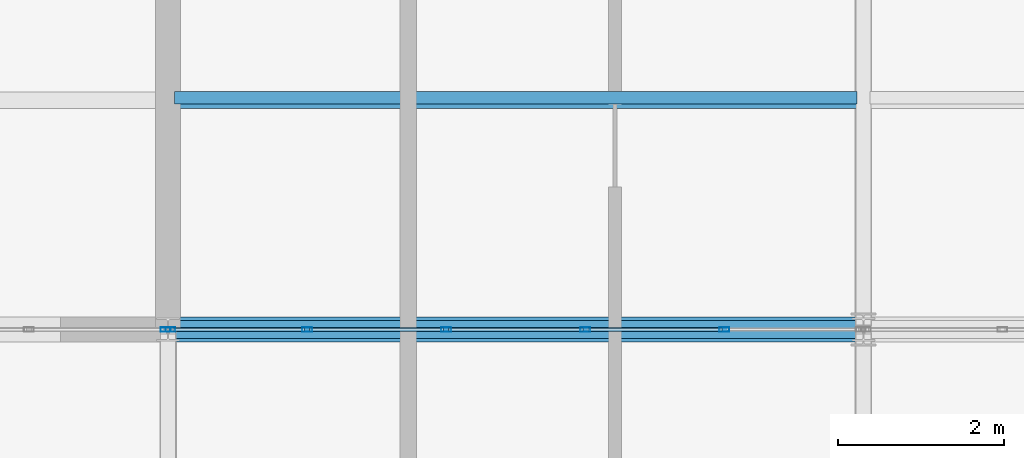
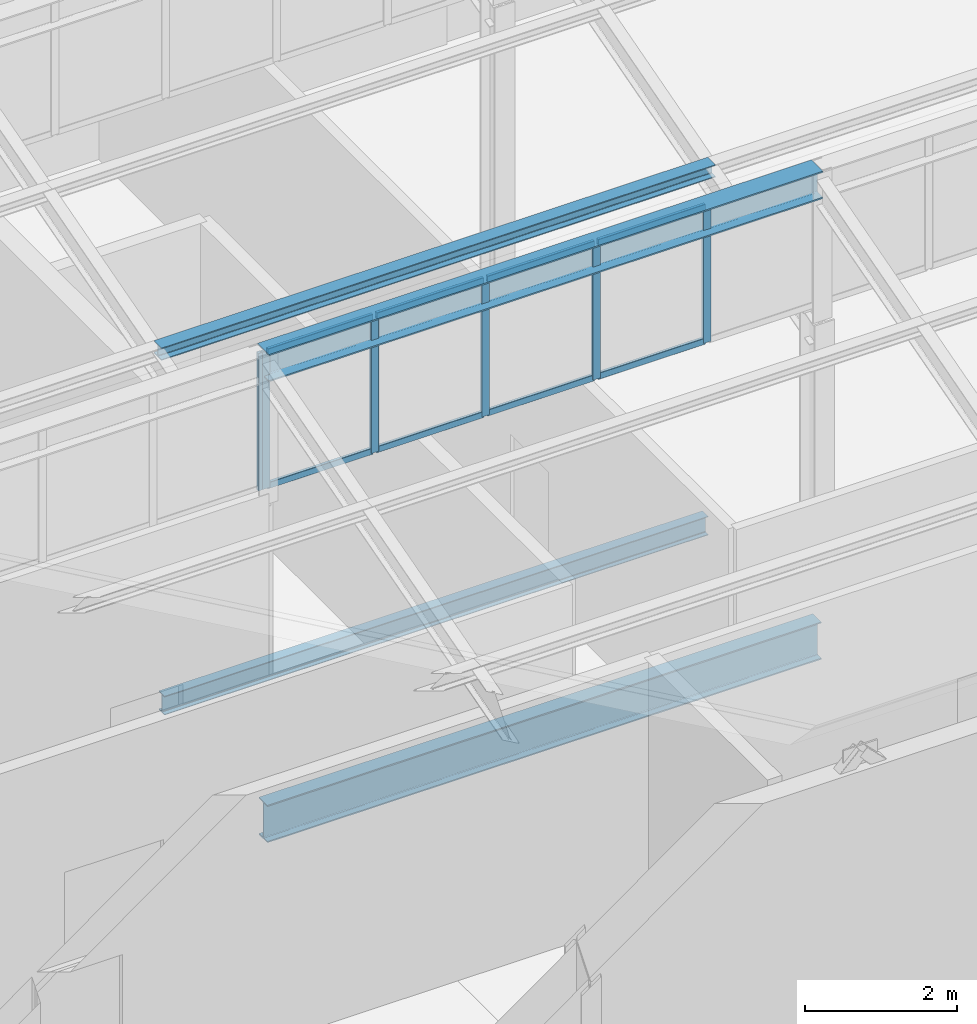
# One storey, part 10 of 53: 15 members, 3 beams, 2 elements without a shape of their own.
"""IFC4 building model written with IfcOpenShell, lengths in metres."""

from ifc_helpers import new_model, si_unit, direction, frame, origin, origin_2d, place, context, subcontext, project, spatial, hollow_rectangle, i_section, extrude, material, layer, layer_set, material_profile, profile_set, type_object, element, aggregate, save


model = new_model("IFC4")

# Units and contexts
model_context = context("Model", 3, precision=1e-05, world=origin(), true_north=direction((0.0, 1.0)))
body_context = subcontext(model_context, "Body", "Model", "MODEL_VIEW")
ifc_project = project(units=[si_unit("LENGTHUNIT", "METRE"), si_unit("AREAUNIT", "SQUARE_METRE"), si_unit("VOLUMEUNIT", "CUBIC_METRE"), si_unit("PLANEANGLEUNIT", "RADIAN"), si_unit("MASSUNIT", "GRAM", prefix="KILO")], contexts=[model_context])

# Site, building, storey
site_placement = place(None, origin())
site = spatial("IfcSite", under=ifc_project, at=site_placement, CompositionType="ELEMENT")
building_placement = place(site_placement, origin())
building = spatial("IfcBuilding", under=site, at=building_placement, Name="Qalvenar Corner Mobility Hub", CompositionType="ELEMENT")
storey_placement = place(building_placement, frame((0.0, 0.0, 26.39990234375)))
storey = spatial("IfcBuildingStorey", under=building, at=storey_placement, Name="L06", CompositionType="ELEMENT", Elevation=26.39990234375)

# Beams
ifc_material_1 = material(Name="Steel S355", Category="steel")
ifc_material_profile_1 = material_profile(ifc_material_1, i_section(OverallWidth=0.300048828125, OverallDepth=0.43994140625, WebThickness=0.011474609375, FlangeThickness=0.02099609375, FilletRadius=0.027099609375, at=origin_2d()), Name="HEA450")
ifc_profile_set_1 = profile_set([ifc_material_profile_1], Name="Steel S355")
beam_type_1 = type_object("IfcBeamType", Name="BM-HEA450", PredefinedType="BEAM", material=ifc_profile_set_1)
beam_1_placement = place(storey_placement, frame((16.800048828125, 8.39990234375, 6.81005859375), z_axis=(1.0, 0.0, 0.0), x_axis=(0.0, 1.0, 0.0)))
element("IfcBeam", 1, at=beam_1_placement, inside=storey, type_object=beam_type_1, Name="Sawtooth Ridge Girder V3RDG-1-3", PredefinedType="BEAM", context=body_context, shape_type="SweptSolid", body=[
    extrude(i_section(OverallWidth=0.300048828125, OverallDepth=0.43994140625, WebThickness=0.011474609375, FlangeThickness=0.02099609375, FilletRadius=0.027099609375, at=origin_2d()), origin(), (0.0, 0.0, 1.0), 8.39990234375),
])
ifc_material_profile_2 = material_profile(ifc_material_1, i_section(OverallWidth=0.219970703125, OverallDepth=0.60009765625, WebThickness=0.011962890625, FlangeThickness=0.01904296875, FilletRadius=0.02392578125, at=origin_2d()), Name="IPE600")
ifc_profile_set_2 = profile_set([ifc_material_profile_2], Name="Steel S355")
beam_type_2 = type_object("IfcBeamType", Name="BM-IPE600", PredefinedType="BEAM", material=ifc_profile_set_2)
beam_2_placement = place(storey_placement, frame((16.800048828125, 8.39990234375, -0.52001953125), z_axis=(1.0, 0.0, 0.0), x_axis=(0.0, 1.0, 0.0)))
element("IfcBeam", 2, at=beam_2_placement, inside=storey, type_object=beam_type_2, Name="Primary Steel Girder GX-3059", PredefinedType="BEAM", context=body_context, shape_type="SweptSolid", body=[
    extrude(i_section(OverallWidth=0.219970703125, OverallDepth=0.60009765625, WebThickness=0.011962890625, FlangeThickness=0.01904296875, FilletRadius=0.02392578125, at=origin_2d()), origin(), (0.0, 0.0, 1.0), 8.39990234375),
])
ifc_material_profile_3 = material_profile(ifc_material_1, i_section(OverallWidth=0.14990234375, OverallDepth=0.300048828125, WebThickness=0.007080078125, FlangeThickness=0.0107421875, FilletRadius=0.014892578125, at=origin_2d()), Name="IPE300")
ifc_profile_set_3 = profile_set([ifc_material_profile_3], Name="Steel S355")
beam_type_3 = type_object("IfcBeamType", Name="BM-JST300", PredefinedType="JOIST", material=ifc_profile_set_3)
beam_3_placement = place(storey_placement, frame((16.8779296875, 11.199951171875, -0.369873046875), z_axis=(1.0, 0.0, 0.0), x_axis=(0.0, 1.0, 0.0)))
element("IfcBeam", 3, at=beam_3_placement, inside=storey, type_object=beam_type_3, Name="Composite Floor Joist J-3118", PredefinedType="JOIST", context=body_context, shape_type="SweptSolid", body=[
    extrude(i_section(OverallWidth=0.14990234375, OverallDepth=0.300048828125, WebThickness=0.007080078125, FlangeThickness=0.0107421875, FilletRadius=0.014892578125, at=origin_2d()), origin(), (0.0, 0.0, 1.0), 8.244140625),
])

# Curtain wall, member
ifc_material_2 = material(Name="Anodised Aluminium and Low-E Glazing", Category="aluminium")
ifc_layer = layer(ifc_material_2, 0.1201171875)
ifc_layer_set = layer_set([ifc_layer], Name="Anodised Aluminium and Low-E Glazing")
curtain_wall_type = type_object("IfcCurtainWallType", Name="CW-CLR-84X24", PredefinedType="NOTDEFINED", material=ifc_layer_set)
curtain_wall_1_placement = place(storey_placement, origin())
curtain_wall_1 = element("IfcCurtainWall", 4, at=curtain_wall_1_placement, inside=storey, type_object=curtain_wall_type, Name="Glazed Curtain Wall CW-V3-SAW-1-1", PredefinedType="NOTDEFINED")
ifc_material_3 = material(Name="Anodised Aluminium 6063-T6", Category="aluminium")
ifc_material_profile_4 = material_profile(ifc_material_3, hollow_rectangle(XDim=0.054931640625, YDim=0.1201171875, WallThickness=0.00341796875, InnerFilletRadius=0.00341796875, OuterFilletRadius=0.007080078125, at=origin_2d()), Name="RHS120x55x3.5")
ifc_profile_set_4 = profile_set([ifc_material_profile_4], Name="Anodised Aluminium 6063-T6")
member_type_1 = type_object("IfcMemberType", Name="CW-MUL120", PredefinedType="MULLION", material=ifc_profile_set_4)
member_1_placement = place(storey_placement, frame((16.77001953125, 8.39990234375, 4.800048828125), z_axis=(0.0, 0.0, 1.0), x_axis=(0.0, -1.0, 0.0)))
member_1 = element("IfcMember", 5, at=member_1_placement, type_object=member_type_1, Name="CW-12 mullion 1", PredefinedType="MULLION", context=body_context, shape_type="SweptSolid", body=[
    extrude(hollow_rectangle(XDim=0.054931640625, YDim=0.1201171875, WallThickness=0.00341796875, InnerFilletRadius=0.00341796875, OuterFilletRadius=0.007080078125, at=origin_2d()), origin(), (0.0, 0.0, 1.0), 2.199951171875),
])
aggregate(curtain_wall_1, [member_1])

# Curtain wall, members
curtain_wall_2_placement = place(storey_placement, origin())
curtain_wall_2 = element("IfcCurtainWall", 6, at=curtain_wall_2_placement, inside=storey, type_object=curtain_wall_type, Name="Glazed Curtain Wall CW-V3-SAW-1-2", PredefinedType="NOTDEFINED")
member_2_placement = place(storey_placement, frame((23.52001953125, 8.39990234375, 4.800048828125), z_axis=(0.0, 0.0, 1.0), x_axis=(0.0, -1.0, 0.0)))
member_2 = element("IfcMember", 7, at=member_2_placement, type_object=member_type_1, Name="CW-12 mullion 2", PredefinedType="MULLION", context=body_context, shape_type="SweptSolid", body=[
    extrude(hollow_rectangle(XDim=0.054931640625, YDim=0.1201171875, WallThickness=0.00341796875, InnerFilletRadius=0.00341796875, OuterFilletRadius=0.007080078125, at=origin_2d()), origin(), (0.0, 0.0, 1.0), 2.199951171875),
])
member_3_placement = place(storey_placement, frame((21.840087890625, 8.39990234375, 4.800048828125), z_axis=(0.0, 0.0, 1.0), x_axis=(0.0, -1.0, 0.0)))
member_3 = element("IfcMember", 8, at=member_3_placement, type_object=member_type_1, Name="CW-12 mullion 3", PredefinedType="MULLION", context=body_context, shape_type="SweptSolid", body=[
    extrude(hollow_rectangle(XDim=0.054931640625, YDim=0.1201171875, WallThickness=0.00341796875, InnerFilletRadius=0.00341796875, OuterFilletRadius=0.007080078125, at=origin_2d()), origin(), (0.0, 0.0, 1.0), 2.199951171875),
])
member_4_placement = place(storey_placement, frame((20.159912109375, 8.39990234375, 4.800048828125), z_axis=(0.0, 0.0, 1.0), x_axis=(0.0, -1.0, 0.0)))
member_4 = element("IfcMember", 9, at=member_4_placement, type_object=member_type_1, Name="CW-12 mullion 4", PredefinedType="MULLION", context=body_context, shape_type="SweptSolid", body=[
    extrude(hollow_rectangle(XDim=0.054931640625, YDim=0.1201171875, WallThickness=0.00341796875, InnerFilletRadius=0.00341796875, OuterFilletRadius=0.007080078125, at=origin_2d()), origin(), (0.0, 0.0, 1.0), 2.199951171875),
])
member_5_placement = place(storey_placement, frame((18.47998046875, 8.39990234375, 4.800048828125), z_axis=(0.0, 0.0, 1.0), x_axis=(0.0, -1.0, 0.0)))
member_5 = element("IfcMember", 10, at=member_5_placement, type_object=member_type_1, Name="CW-12 mullion 5", PredefinedType="MULLION", context=body_context, shape_type="SweptSolid", body=[
    extrude(hollow_rectangle(XDim=0.054931640625, YDim=0.1201171875, WallThickness=0.00341796875, InnerFilletRadius=0.00341796875, OuterFilletRadius=0.007080078125, at=origin_2d()), origin(), (0.0, 0.0, 1.0), 2.199951171875),
])
member_6_placement = place(storey_placement, frame((16.830078125, 8.39990234375, 4.800048828125), z_axis=(0.0, 0.0, 1.0), x_axis=(0.0, -1.0, 0.0)))
member_6 = element("IfcMember", 11, at=member_6_placement, type_object=member_type_1, Name="CW-12 mullion 6", PredefinedType="MULLION", context=body_context, shape_type="SweptSolid", body=[
    extrude(hollow_rectangle(XDim=0.054931640625, YDim=0.1201171875, WallThickness=0.00341796875, InnerFilletRadius=0.00341796875, OuterFilletRadius=0.007080078125, at=origin_2d()), origin(), (0.0, 0.0, 1.0), 2.199951171875),
])
ifc_material_profile_5 = material_profile(ifc_material_3, hollow_rectangle(XDim=0.050048828125, YDim=0.10009765625, WallThickness=0.0029296875, InnerFilletRadius=0.0029296875, OuterFilletRadius=0.006103515625, at=origin_2d()), Name="RHS100x50x3")
ifc_profile_set_5 = profile_set([ifc_material_profile_5], Name="Anodised Aluminium 6063-T6")
member_type_2 = type_object("IfcMemberType", Name="CW-TRN100", PredefinedType="USERDEFINED", material=ifc_profile_set_5)
member_7_placement = place(storey_placement, frame((23.489990234375, 8.39990234375, 4.82763671875), z_axis=(-1.0, 0.0, 0.0), x_axis=(0.0, -1.0, 0.0)))
member_7 = element("IfcMember", 12, at=member_7_placement, type_object=member_type_2, Name="CW-12 transom 2.1", ObjectType="TRANSOM", PredefinedType="USERDEFINED", context=body_context, shape_type="SweptSolid", body=[
    extrude(hollow_rectangle(XDim=0.050048828125, YDim=0.10009765625, WallThickness=0.0029296875, InnerFilletRadius=0.0029296875, OuterFilletRadius=0.006103515625, at=origin_2d()), origin(), (0.0, 0.0, 1.0), 1.619873046875),
])
member_8_placement = place(storey_placement, frame((23.489990234375, 8.39990234375, 6.97265625), z_axis=(-1.0, 0.0, 0.0), x_axis=(0.0, -1.0, 0.0)))
member_8 = element("IfcMember", 13, at=member_8_placement, type_object=member_type_2, Name="CW-12 transom 2.2", ObjectType="TRANSOM", PredefinedType="USERDEFINED", context=body_context, shape_type="SweptSolid", body=[
    extrude(hollow_rectangle(XDim=0.050048828125, YDim=0.10009765625, WallThickness=0.0029296875, InnerFilletRadius=0.0029296875, OuterFilletRadius=0.006103515625, at=origin_2d()), origin(), (0.0, 0.0, 1.0), 1.619873046875),
])
member_9_placement = place(storey_placement, frame((21.81005859375, 8.39990234375, 4.82763671875), z_axis=(-1.0, 0.0, 0.0), x_axis=(0.0, -1.0, 0.0)))
member_9 = element("IfcMember", 14, at=member_9_placement, type_object=member_type_2, Name="CW-12 transom 3.1", ObjectType="TRANSOM", PredefinedType="USERDEFINED", context=body_context, shape_type="SweptSolid", body=[
    extrude(hollow_rectangle(XDim=0.050048828125, YDim=0.10009765625, WallThickness=0.0029296875, InnerFilletRadius=0.0029296875, OuterFilletRadius=0.006103515625, at=origin_2d()), origin(), (0.0, 0.0, 1.0), 1.6201171875),
])
member_10_placement = place(storey_placement, frame((21.81005859375, 8.39990234375, 6.97265625), z_axis=(-1.0, 0.0, 0.0), x_axis=(0.0, -1.0, 0.0)))
member_10 = element("IfcMember", 15, at=member_10_placement, type_object=member_type_2, Name="CW-12 transom 3.2", ObjectType="TRANSOM", PredefinedType="USERDEFINED", context=body_context, shape_type="SweptSolid", body=[
    extrude(hollow_rectangle(XDim=0.050048828125, YDim=0.10009765625, WallThickness=0.0029296875, InnerFilletRadius=0.0029296875, OuterFilletRadius=0.006103515625, at=origin_2d()), origin(), (0.0, 0.0, 1.0), 1.6201171875),
])
member_11_placement = place(storey_placement, frame((20.1298828125, 8.39990234375, 4.82763671875), z_axis=(-1.0, 0.0, 0.0), x_axis=(0.0, -1.0, 0.0)))
member_11 = element("IfcMember", 16, at=member_11_placement, type_object=member_type_2, Name="CW-12 transom 4.1", ObjectType="TRANSOM", PredefinedType="USERDEFINED", context=body_context, shape_type="SweptSolid", body=[
    extrude(hollow_rectangle(XDim=0.050048828125, YDim=0.10009765625, WallThickness=0.0029296875, InnerFilletRadius=0.0029296875, OuterFilletRadius=0.006103515625, at=origin_2d()), origin(), (0.0, 0.0, 1.0), 1.619873046875),
])
member_12_placement = place(storey_placement, frame((20.1298828125, 8.39990234375, 6.97265625), z_axis=(-1.0, 0.0, 0.0), x_axis=(0.0, -1.0, 0.0)))
member_12 = element("IfcMember", 17, at=member_12_placement, type_object=member_type_2, Name="CW-12 transom 4.2", ObjectType="TRANSOM", PredefinedType="USERDEFINED", context=body_context, shape_type="SweptSolid", body=[
    extrude(hollow_rectangle(XDim=0.050048828125, YDim=0.10009765625, WallThickness=0.0029296875, InnerFilletRadius=0.0029296875, OuterFilletRadius=0.006103515625, at=origin_2d()), origin(), (0.0, 0.0, 1.0), 1.619873046875),
])
member_13_placement = place(storey_placement, frame((18.449951171875, 8.39990234375, 4.82763671875), z_axis=(-1.0, 0.0, 0.0), x_axis=(0.0, -1.0, 0.0)))
member_13 = element("IfcMember", 18, at=member_13_placement, type_object=member_type_2, Name="CW-12 transom 5.1", ObjectType="TRANSOM", PredefinedType="USERDEFINED", context=body_context, shape_type="SweptSolid", body=[
    extrude(hollow_rectangle(XDim=0.050048828125, YDim=0.10009765625, WallThickness=0.0029296875, InnerFilletRadius=0.0029296875, OuterFilletRadius=0.006103515625, at=origin_2d()), origin(), (0.0, 0.0, 1.0), 1.58984375),
])
member_14_placement = place(storey_placement, frame((18.449951171875, 8.39990234375, 6.97265625), z_axis=(-1.0, 0.0, 0.0), x_axis=(0.0, -1.0, 0.0)))
member_14 = element("IfcMember", 19, at=member_14_placement, type_object=member_type_2, Name="CW-12 transom 5.2", ObjectType="TRANSOM", PredefinedType="USERDEFINED", context=body_context, shape_type="SweptSolid", body=[
    extrude(hollow_rectangle(XDim=0.050048828125, YDim=0.10009765625, WallThickness=0.0029296875, InnerFilletRadius=0.0029296875, OuterFilletRadius=0.006103515625, at=origin_2d()), origin(), (0.0, 0.0, 1.0), 1.58984375),
])
aggregate(curtain_wall_2, [member_2, member_3, member_4, member_5, member_6, member_7, member_8, member_9, member_10, member_11, member_12, member_13, member_14])

# Member
ifc_material_profile_6 = material_profile(ifc_material_1, i_section(OverallWidth=0.199951171875, OverallDepth=0.199951171875, WebThickness=0.009033203125, FlangeThickness=0.014892578125, FilletRadius=0.01806640625, at=origin_2d()), Name="HEB200")
ifc_profile_set_6 = profile_set([ifc_material_profile_6], Name="Steel S355")
member_type_3 = type_object("IfcMemberType", Name="PR-RHS200", PredefinedType="PURLIN", material=ifc_profile_set_6)
member_15_placement = place(storey_placement, frame((16.800048828125, 11.172119140625, 5.322021484375), z_axis=(1.0, 0.0, 0.0), x_axis=(0.0, 1.0, 0.0)))
element("IfcMember", 20, at=member_15_placement, inside=storey, type_object=member_type_3, Name="Sawtooth Roof Purlin PR-V3-2-3-33", PredefinedType="PURLIN", context=body_context, shape_type="SweptSolid", body=[
    extrude(i_section(OverallWidth=0.199951171875, OverallDepth=0.199951171875, WebThickness=0.009033203125, FlangeThickness=0.014892578125, FilletRadius=0.01806640625, at=origin_2d()), origin(), (0.0, 0.0, 1.0), 8.39990234375),
])

save(model, "model.ifc")
